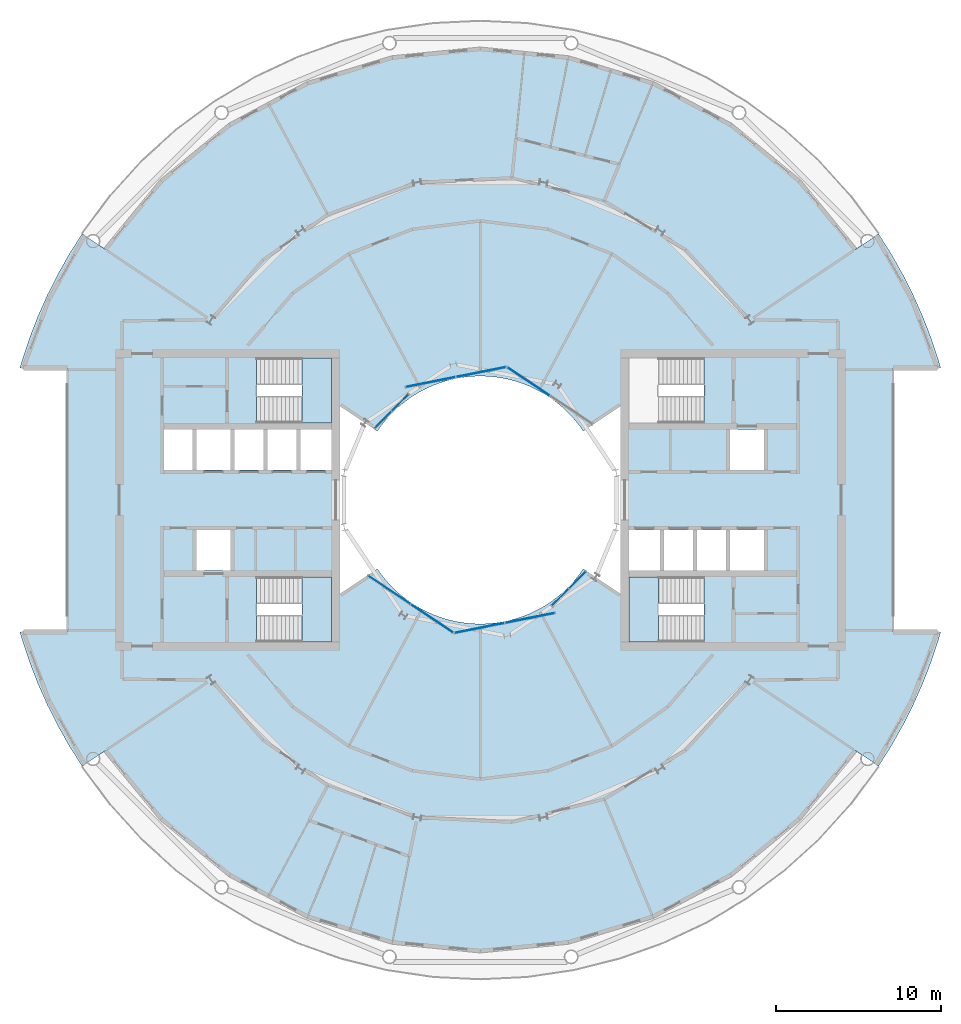
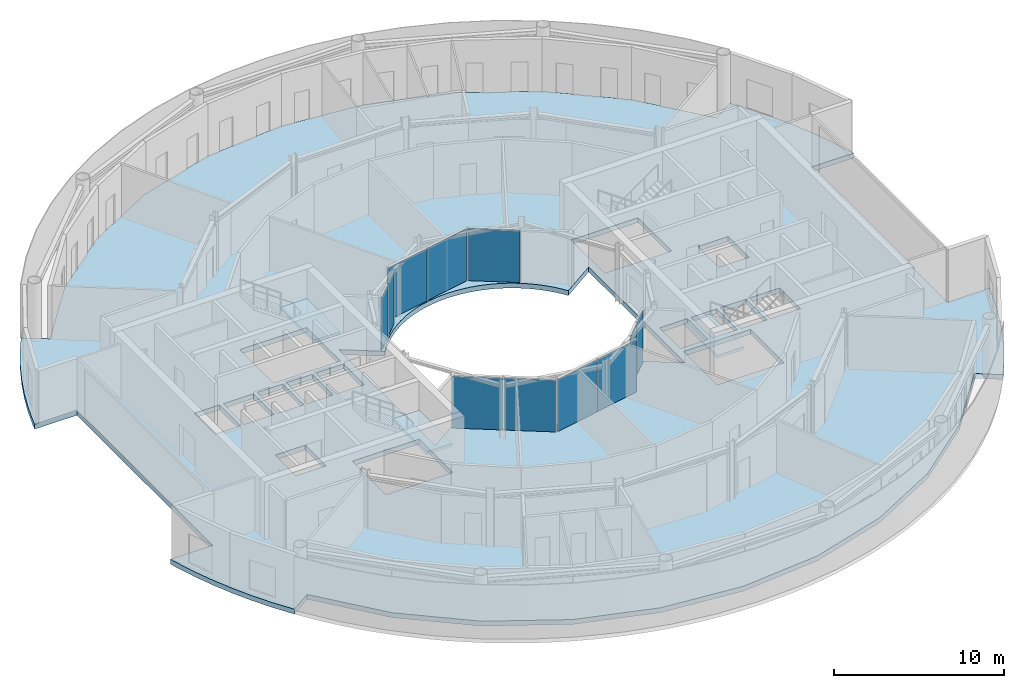
# One storey, part 11 of 21: 11 plates, 4 slabs, 9 elements without a shape of their own.
"""IFC4 building model written with IfcOpenShell, lengths in metres."""

from ifc_helpers import new_model, si_unit, direction, frame, origin, origin_2d, place, context, subcontext, project, spatial, polyline, rectangle, outline, extrude, material, layer, layer_set, type_object, element, aggregate, save


model = new_model("IFC4")

# Units and contexts
model_context = context("Model", 3, precision=1e-05, world=origin(), true_north=direction((0.0, 1.0)))
body_context = subcontext(model_context, "Body", "Model", "MODEL_VIEW")
ifc_project = project(units=[si_unit("LENGTHUNIT", "METRE"), si_unit("AREAUNIT", "SQUARE_METRE"), si_unit("VOLUMEUNIT", "CUBIC_METRE"), si_unit("PLANEANGLEUNIT", "RADIAN"), si_unit("MASSUNIT", "GRAM", prefix="KILO")], contexts=[model_context])

# Site, building, storey
site_placement = place(None, origin())
site = spatial("IfcSite", under=ifc_project, at=site_placement, CompositionType="ELEMENT")
building_placement = place(site_placement, origin())
building = spatial("IfcBuilding", under=site, at=building_placement, Name="Maasbend Ring Residences", CompositionType="ELEMENT")
storey_placement = place(building_placement, frame((0.0, 0.0, 157.39990234375)))
storey = spatial("IfcBuildingStorey", under=building, at=storey_placement, Name="L45", CompositionType="ELEMENT", Elevation=157.39990234375)

# Stair, slab
ifc_material_1 = material(Name="Concrete C40/50", Category="concrete")
stair_type = type_object("IfcStairType", Name="CORE STAIR 24 RISERS", PredefinedType="HALF_TURN_STAIR", material=ifc_material_1)
stair_1_placement = place(storey_placement, origin())
stair_1 = element("IfcStair", 1, at=stair_1_placement, inside=storey, type_object=stair_type, Name="L45 Exit stair ST-E2", PredefinedType="HALF_TURN_STAIR")
ifc_material_2 = material(Name="Concrete C40/50", Category="concrete")
ifc_layer_1 = layer(ifc_material_2, 0.199951171875)
ifc_layer_set_1 = layer_set([ifc_layer_1], Name="Concrete C40/50")
slab_type_1 = type_object("IfcSlabType", Name="CORE STAIR LANDING 200", PredefinedType="LANDING", material=ifc_layer_set_1)
slab_1_placement = place(storey_placement, frame((0.0, 0.0, 1.900146484375)))
slab_1 = element("IfcSlab", 2, at=slab_1_placement, type_object=slab_type_1, Name="ST-E2 landing 1", PredefinedType="LANDING", context=body_context, shape_type="SweptSolid", body=[
    extrude(outline(polyline([(10.800048828125, -4.64990234375), (9.0, -4.64990234375), (9.0, -8.60009765625), (10.800048828125, -8.60009765625), (10.800048828125, -4.64990234375)])), origin(), (0.0, 0.0, 1.0), 0.199951171875),
])
aggregate(stair_1, [slab_1])

stair_2_placement = place(storey_placement, origin())
stair_2 = element("IfcStair", 3, at=stair_2_placement, inside=storey, type_object=stair_type, Name="L45 Exit stair ST-W1", PredefinedType="HALF_TURN_STAIR")
slab_2_placement = place(storey_placement, frame((0.0, 0.0, 1.900146484375)))
slab_2 = element("IfcSlab", 4, at=slab_2_placement, type_object=slab_type_1, Name="ST-W1 landing 1", PredefinedType="LANDING", context=body_context, shape_type="SweptSolid", body=[
    extrude(outline(polyline([(-10.800048828125, -8.60009765625), (-9.0, -8.60009765625), (-9.0, -4.64990234375), (-10.800048828125, -4.64990234375), (-10.800048828125, -8.60009765625)])), origin(), (0.0, 0.0, 1.0), 0.199951171875),
])
aggregate(stair_2, [slab_2])

stair_3_placement = place(storey_placement, origin())
stair_3 = element("IfcStair", 5, at=stair_3_placement, inside=storey, type_object=stair_type, Name="L45 Exit stair ST-W2", PredefinedType="HALF_TURN_STAIR")
slab_3_placement = place(storey_placement, frame((0.0, 0.0, 1.900146484375)))
slab_3 = element("IfcSlab", 6, at=slab_3_placement, type_object=slab_type_1, Name="ST-W2 landing 1", PredefinedType="LANDING", context=body_context, shape_type="SweptSolid", body=[
    extrude(outline(polyline([(-10.800048828125, 4.64990234375), (-9.0, 4.64990234375), (-9.0, 8.60009765625), (-10.800048828125, 8.60009765625), (-10.800048828125, 4.64990234375)])), origin(), (0.0, 0.0, 1.0), 0.199951171875),
])
aggregate(stair_3, [slab_3])

# Curtain wall, plate
ifc_material_3 = material(Name="Aluminium and clear glass", Category="aluminium")
ifc_layer_2 = layer(ifc_material_3, 0.179931640625)
ifc_layer_set_2 = layer_set([ifc_layer_2], Name="CW-W")
curtain_wall_type = type_object("IfcCurtainWallType", Name="CW-W", PredefinedType="NOTDEFINED", material=ifc_layer_set_2)
curtain_wall_1_placement = place(storey_placement, origin())
curtain_wall_1 = element("IfcCurtainWall", 7, at=curtain_wall_1_placement, inside=storey, type_object=curtain_wall_type, Name="Well curtain wall N1", PredefinedType="NOTDEFINED")
ifc_material_4 = material(Name="Glass clear laminated", Category="glass")
ifc_layer_3 = layer(ifc_material_4, 0.031982421875)
ifc_layer_set_3 = layer_set([ifc_layer_3], Name="CWP-W")
plate_type = type_object("IfcPlateType", Name="CWP-W", PredefinedType="CURTAIN_PANEL", material=ifc_layer_set_3)
plate_1_placement = place(storey_placement, frame((2.922119140625, 7.17578125, 0.0), z_axis=(0.0, 0.0, 1.0), x_axis=(-0.831469612303, 0.55557023302, 0.0)))
plate_1 = element("IfcPlate", 8, at=plate_1_placement, type_object=plate_type, Name="Glass panel well face", PredefinedType="CURTAIN_PANEL", context=body_context, shape_type="SweptSolid", body=[
    extrude(rectangle(XDim=3.053955078125, YDim=0.031982421875, at=origin_2d()), origin(), (0.0, 0.0, 1.0), 3.72998046875),
])
aggregate(curtain_wall_1, [plate_1])

# Curtain wall, plates
curtain_wall_2_placement = place(storey_placement, origin())
curtain_wall_2 = element("IfcCurtainWall", 9, at=curtain_wall_2_placement, inside=storey, type_object=curtain_wall_type, Name="Well curtain wall N2", PredefinedType="NOTDEFINED")
plate_2_placement = place(storey_placement, frame((0.04638671875, 7.747802734375, 0.0), z_axis=(0.0, 0.0, 1.0), x_axis=(-0.980785280403, -0.195090322016, 0.0)))
plate_2 = element("IfcPlate", 10, at=plate_2_placement, type_object=plate_type, Name="Glass panel well face", PredefinedType="CURTAIN_PANEL", context=body_context, shape_type="SweptSolid", body=[
    extrude(rectangle(XDim=3.053955078125, YDim=0.031982421875, at=origin_2d()), origin(), (0.0, 0.0, 1.0), 3.72998046875),
])
plate_3_placement = place(storey_placement, frame((-3.0078125, 7.140380859375, 0.0), z_axis=(0.0, 0.0, 1.0), x_axis=(-0.980785280403, -0.195090322016, 0.0)))
plate_3 = element("IfcPlate", 11, at=plate_3_placement, type_object=plate_type, Name="Glass panel well face", PredefinedType="CURTAIN_PANEL", context=body_context, shape_type="SweptSolid", body=[
    extrude(rectangle(XDim=3.053955078125, YDim=0.031982421875, at=origin_2d()), origin(), (0.0, 0.0, 1.0), 3.72998046875),
])
aggregate(curtain_wall_2, [plate_2, plate_3])

curtain_wall_3_placement = place(storey_placement, origin())
curtain_wall_3 = element("IfcCurtainWall", 12, at=curtain_wall_3_placement, inside=storey, type_object=curtain_wall_type, Name="Well curtain wall N3", PredefinedType="NOTDEFINED")
plate_4_placement = place(storey_placement, frame((-4.84375, 5.89013671875, 0.0), z_axis=(0.0, 0.0, 1.0), x_axis=(-0.707106781187, -0.707106781187, 0.0)))
plate_4 = element("IfcPlate", 13, at=plate_4_placement, type_object=plate_type, Name="Glass panel well face", PredefinedType="CURTAIN_PANEL", context=body_context, shape_type="SweptSolid", body=[
    extrude(rectangle(XDim=1.419677734375, YDim=0.031982421875, at=origin_2d()), origin(), (0.0, 0.0, 1.0), 3.72998046875),
])
plate_5_placement = place(storey_placement, frame((-5.89013671875, 4.84375, 0.0), z_axis=(0.0, 0.0, 1.0), x_axis=(-0.707106781187, -0.707106781187, 0.0)))
plate_5 = element("IfcPlate", 14, at=plate_5_placement, type_object=plate_type, Name="Glass panel well face", PredefinedType="CURTAIN_PANEL", context=body_context, shape_type="SweptSolid", body=[
    extrude(rectangle(XDim=1.419677734375, YDim=0.031982421875, at=origin_2d()), origin(), (0.0, 0.0, 1.0), 3.72998046875),
])
aggregate(curtain_wall_3, [plate_4, plate_5])

curtain_wall_4_placement = place(storey_placement, origin())
curtain_wall_4 = element("IfcCurtainWall", 15, at=curtain_wall_4_placement, inside=storey, type_object=curtain_wall_type, Name="Well curtain wall S1", PredefinedType="NOTDEFINED")
plate_6_placement = place(storey_placement, frame((-5.51123046875, -5.44580078125, 0.0), z_axis=(0.0, 0.0, 1.0), x_axis=(0.831469612303, -0.55557023302, 0.0)))
plate_6 = element("IfcPlate", 16, at=plate_6_placement, type_object=plate_type, Name="Glass panel well face", PredefinedType="CURTAIN_PANEL", context=body_context, shape_type="SweptSolid", body=[
    extrude(rectangle(XDim=3.053955078125, YDim=0.031982421875, at=origin_2d()), origin(), (0.0, 0.0, 1.0), 3.72998046875),
])
plate_7_placement = place(storey_placement, frame((-2.922119140625, -7.17578125, 0.0), z_axis=(0.0, 0.0, 1.0), x_axis=(0.831469612303, -0.55557023302, 0.0)))
plate_7 = element("IfcPlate", 17, at=plate_7_placement, type_object=plate_type, Name="Glass panel well face", PredefinedType="CURTAIN_PANEL", context=body_context, shape_type="SweptSolid", body=[
    extrude(rectangle(XDim=3.053955078125, YDim=0.031982421875, at=origin_2d()), origin(), (0.0, 0.0, 1.0), 3.72998046875),
])
aggregate(curtain_wall_4, [plate_6, plate_7])

curtain_wall_5_placement = place(storey_placement, origin())
curtain_wall_5 = element("IfcCurtainWall", 18, at=curtain_wall_5_placement, inside=storey, type_object=curtain_wall_type, Name="Well curtain wall S2", PredefinedType="NOTDEFINED")
plate_8_placement = place(storey_placement, frame((-0.04638671875, -7.747802734375, 0.0), z_axis=(0.0, 0.0, 1.0), x_axis=(0.980785280403, 0.195090322016, 0.0)))
plate_8 = element("IfcPlate", 19, at=plate_8_placement, type_object=plate_type, Name="Glass panel well face", PredefinedType="CURTAIN_PANEL", context=body_context, shape_type="SweptSolid", body=[
    extrude(rectangle(XDim=3.053955078125, YDim=0.031982421875, at=origin_2d()), origin(), (0.0, 0.0, 1.0), 3.72998046875),
])
plate_9_placement = place(storey_placement, frame((3.0078125, -7.140380859375, 0.0), z_axis=(0.0, 0.0, 1.0), x_axis=(0.980785280403, 0.195090322016, 0.0)))
plate_9 = element("IfcPlate", 20, at=plate_9_placement, type_object=plate_type, Name="Glass panel well face", PredefinedType="CURTAIN_PANEL", context=body_context, shape_type="SweptSolid", body=[
    extrude(rectangle(XDim=3.053955078125, YDim=0.031982421875, at=origin_2d()), origin(), (0.0, 0.0, 1.0), 3.72998046875),
])
aggregate(curtain_wall_5, [plate_8, plate_9])

curtain_wall_6_placement = place(storey_placement, origin())
curtain_wall_6 = element("IfcCurtainWall", 21, at=curtain_wall_6_placement, inside=storey, type_object=curtain_wall_type, Name="Well curtain wall S3", PredefinedType="NOTDEFINED")
plate_10_placement = place(storey_placement, frame((4.84375, -5.89013671875, 0.0), z_axis=(0.0, 0.0, 1.0), x_axis=(0.707106781187, 0.707106781187, 0.0)))
plate_10 = element("IfcPlate", 22, at=plate_10_placement, type_object=plate_type, Name="Glass panel well face", PredefinedType="CURTAIN_PANEL", context=body_context, shape_type="SweptSolid", body=[
    extrude(rectangle(XDim=1.419677734375, YDim=0.031982421875, at=origin_2d()), origin(), (0.0, 0.0, 1.0), 3.72998046875),
])
plate_11_placement = place(storey_placement, frame((5.89013671875, -4.84375, 0.0), z_axis=(0.0, 0.0, 1.0), x_axis=(0.707106781187, 0.707106781187, 0.0)))
plate_11 = element("IfcPlate", 23, at=plate_11_placement, type_object=plate_type, Name="Glass panel well face", PredefinedType="CURTAIN_PANEL", context=body_context, shape_type="SweptSolid", body=[
    extrude(rectangle(XDim=1.419677734375, YDim=0.031982421875, at=origin_2d()), origin(), (0.0, 0.0, 1.0), 3.72998046875),
])
aggregate(curtain_wall_6, [plate_10, plate_11])

# Slab
ifc_material_5 = material(Name="Concrete C40/50", Category="concrete")
ifc_layer_4 = layer(ifc_material_5, 0.35009765625)
ifc_layer_set_4 = layer_set([ifc_layer_4], Name="Concrete C40/50")
slab_type_2 = type_object("IfcSlabType", Name="Post-tensioned flat plate 350", PredefinedType="FLOOR", material=ifc_layer_set_4)
slab_4_placement = place(storey_placement, frame((0.0, 0.0, -0.349853515625)))
element("IfcSlab", 24, at=slab_4_placement, inside=storey, type_object=slab_type_2, Name="Floor slab L45", PredefinedType="FLOOR", context=body_context, shape_type="SweptSolid", body=[
    extrude(outline(polyline([(24.8740234375, -14.908935546875), (25.57568359375, -13.67041015625), (26.2158203125, -12.399169921875), (26.79248046875, -11.097900390625), (27.3046875, -9.769775390625), (27.751220703125, -8.418212890625), (27.866943359375, -8.0), (25.0, -8.0), (25.0, 8.0), (27.866943359375, 8.0), (27.751220703125, 8.418212890625), (27.3046875, 9.769775390625), (26.79248046875, 11.097900390625), (26.2158203125, 12.399169921875), (25.57568359375, 13.67041015625), (24.8740234375, 14.908935546875), (24.112548828125, 16.111572265625), (22.69921875, 15.1669921875), (19.303955078125, 19.303955078125), (15.1669921875, 22.69921875), (10.447265625, 25.221923828125), (5.325927734375, 26.775390625), (0.0, 27.300048828125), (-5.325927734375, 26.775390625), (-10.447265625, 25.221923828125), (-15.1669921875, 22.69921875), (-19.303955078125, 19.303955078125), (-22.69921875, 15.1669921875), (-24.112548828125, 16.111572265625), (-24.8740234375, 14.908935546875), (-25.57568359375, 13.67041015625), (-26.2158203125, 12.399169921875), (-26.79248046875, 11.097900390625), (-27.3046875, 9.769775390625), (-27.751220703125, 8.418212890625), (-27.866943359375, 8.0), (-25.0, 8.0), (-25.0, -8.0), (-27.866943359375, -8.0), (-27.751220703125, -8.418212890625), (-27.3046875, -9.769775390625), (-26.79248046875, -11.097900390625), (-26.2158203125, -12.399169921875), (-25.57568359375, -13.67041015625), (-24.8740234375, -14.908935546875), (-24.112548828125, -16.111572265625), (-22.69921875, -15.1669921875), (-19.303955078125, -19.303955078125), (-15.1669921875, -22.69921875), (-10.447265625, -25.221923828125), (-5.325927734375, -26.775390625), (0.0, -27.300048828125), (5.325927734375, -26.775390625), (10.447265625, -25.221923828125), (15.1669921875, -22.69921875), (19.303955078125, -19.303955078125), (22.69921875, -15.1669921875), (24.112548828125, -16.111572265625), (24.8740234375, -14.908935546875)]), holes=[polyline([(15.125, 1.824951171875), (15.125, 4.27490234375), (17.175048828125, 4.27490234375), (17.175048828125, 1.824951171875), (15.125, 1.824951171875)]), polyline([(15.125, -4.27490234375), (15.125, -1.824951171875), (17.175048828125, -1.824951171875), (17.175048828125, -4.27490234375), (15.125, -4.27490234375)]), polyline([(13.125, -4.27490234375), (13.125, -1.824951171875), (14.875, -1.824951171875), (14.875, -4.27490234375), (13.125, -4.27490234375)]), polyline([(13.550048828125, 8.60009765625), (13.550048828125, 4.64990234375), (9.0, 4.64990234375), (9.0, 8.60009765625), (13.550048828125, 8.60009765625)]), polyline([(13.550048828125, -4.64990234375), (13.550048828125, -8.60009765625), (9.0, -8.60009765625), (9.0, -4.64990234375), (13.550048828125, -4.64990234375)]), polyline([(11.125, -4.27490234375), (11.125, -1.824951171875), (12.875, -1.824951171875), (12.875, -4.27490234375), (11.125, -4.27490234375)]), polyline([(9.0, -4.27490234375), (9.0, -1.824951171875), (10.875, -1.824951171875), (10.875, -4.27490234375), (9.0, -4.27490234375)]), polyline([(6.024169921875, 4.4677734375), (6.236083984375, 4.166748046875), (8.5, 5.679443359375), (8.5, -5.679443359375), (6.236083984375, -4.166748046875), (6.024169921875, -4.4677734375), (5.797607421875, -4.7578125), (5.55712890625, -5.03662109375), (5.30322265625, -5.30322265625), (5.03662109375, -5.55712890625), (4.7578125, -5.797607421875), (4.4677734375, -6.024169921875), (4.166748046875, -6.236083984375), (3.855712890625, -6.43310546875), (3.535400390625, -6.614501953125), (3.206787109375, -6.77978515625), (2.8701171875, -6.92919921875), (2.526611328125, -7.0615234375), (2.177001953125, -7.177001953125), (1.822509765625, -7.275146484375), (1.463134765625, -7.35595703125), (1.1005859375, -7.418701171875), (0.735107421875, -7.4638671875), (0.367919921875, -7.490966796875), (0.0, -7.5), (-0.367919921875, -7.490966796875), (-0.735107421875, -7.4638671875), (-1.1005859375, -7.418701171875), (-1.463134765625, -7.35595703125), (-1.822509765625, -7.275146484375), (-2.177001953125, -7.177001953125), (-2.526611328125, -7.0615234375), (-2.8701171875, -6.92919921875), (-3.206787109375, -6.77978515625), (-3.535400390625, -6.614501953125), (-3.855712890625, -6.43310546875), (-4.166748046875, -6.236083984375), (-4.4677734375, -6.024169921875), (-4.7578125, -5.797607421875), (-5.03662109375, -5.55712890625), (-5.30322265625, -5.30322265625), (-5.55712890625, -5.03662109375), (-5.797607421875, -4.7578125), (-6.024169921875, -4.4677734375), (-6.236083984375, -4.166748046875), (-8.5, -5.679443359375), (-8.5, 5.679443359375), (-6.236083984375, 4.166748046875), (-6.024169921875, 4.4677734375), (-5.797607421875, 4.7578125), (-5.55712890625, 5.03662109375), (-5.30322265625, 5.30322265625), (-5.03662109375, 5.55712890625), (-4.7578125, 5.797607421875), (-4.4677734375, 6.024169921875), (-4.166748046875, 6.236083984375), (-3.855712890625, 6.43310546875), (-3.535400390625, 6.614501953125), (-3.206787109375, 6.77978515625), (-2.8701171875, 6.92919921875), (-2.526611328125, 7.0615234375), (-2.177001953125, 7.177001953125), (-1.822509765625, 7.275146484375), (-1.463134765625, 7.35595703125), (-1.1005859375, 7.418701171875), (-0.735107421875, 7.4638671875), (-0.367919921875, 7.490966796875), (0.0, 7.5), (0.367919921875, 7.490966796875), (0.735107421875, 7.4638671875), (1.1005859375, 7.418701171875), (1.463134765625, 7.35595703125), (1.822509765625, 7.275146484375), (2.177001953125, 7.177001953125), (2.526611328125, 7.0615234375), (2.8701171875, 6.92919921875), (3.206787109375, 6.77978515625), (3.535400390625, 6.614501953125), (3.855712890625, 6.43310546875), (4.166748046875, 6.236083984375), (4.4677734375, 6.024169921875), (4.7578125, 5.797607421875), (5.03662109375, 5.55712890625), (5.30322265625, 5.30322265625), (5.55712890625, 5.03662109375), (5.797607421875, 4.7578125), (6.024169921875, 4.4677734375)]), polyline([(-13.550048828125, 4.64990234375), (-13.550048828125, 8.60009765625), (-9.0, 8.60009765625), (-9.0, 4.64990234375), (-13.550048828125, 4.64990234375)]), polyline([(-9.0, -8.60009765625), (-13.550048828125, -8.60009765625), (-13.550048828125, -4.64990234375), (-9.0, -4.64990234375), (-9.0, -8.60009765625)]), polyline([(-9.0, 4.27490234375), (-9.0, 1.824951171875), (-10.875, 1.824951171875), (-10.875, 4.27490234375), (-9.0, 4.27490234375)]), polyline([(-11.125, 4.27490234375), (-11.125, 1.824951171875), (-12.875, 1.824951171875), (-12.875, 4.27490234375), (-11.125, 4.27490234375)]), polyline([(-13.125, 4.27490234375), (-13.125, 1.824951171875), (-14.875, 1.824951171875), (-14.875, 4.27490234375), (-13.125, 4.27490234375)]), polyline([(-15.125, 4.27490234375), (-15.125, 1.824951171875), (-17.175048828125, 1.824951171875), (-17.175048828125, 4.27490234375), (-15.125, 4.27490234375)]), polyline([(-15.125, -1.824951171875), (-15.125, -4.27490234375), (-17.175048828125, -4.27490234375), (-17.175048828125, -1.824951171875), (-15.125, -1.824951171875)]), polyline([(-17.425048828125, 4.27490234375), (-17.425048828125, 1.824951171875), (-19.14990234375, 1.824951171875), (-19.14990234375, 4.27490234375), (-17.425048828125, 4.27490234375)])]), origin(), (0.0, 0.0, 1.0), 0.349853515625),
])

save(model, "model.ifc")
